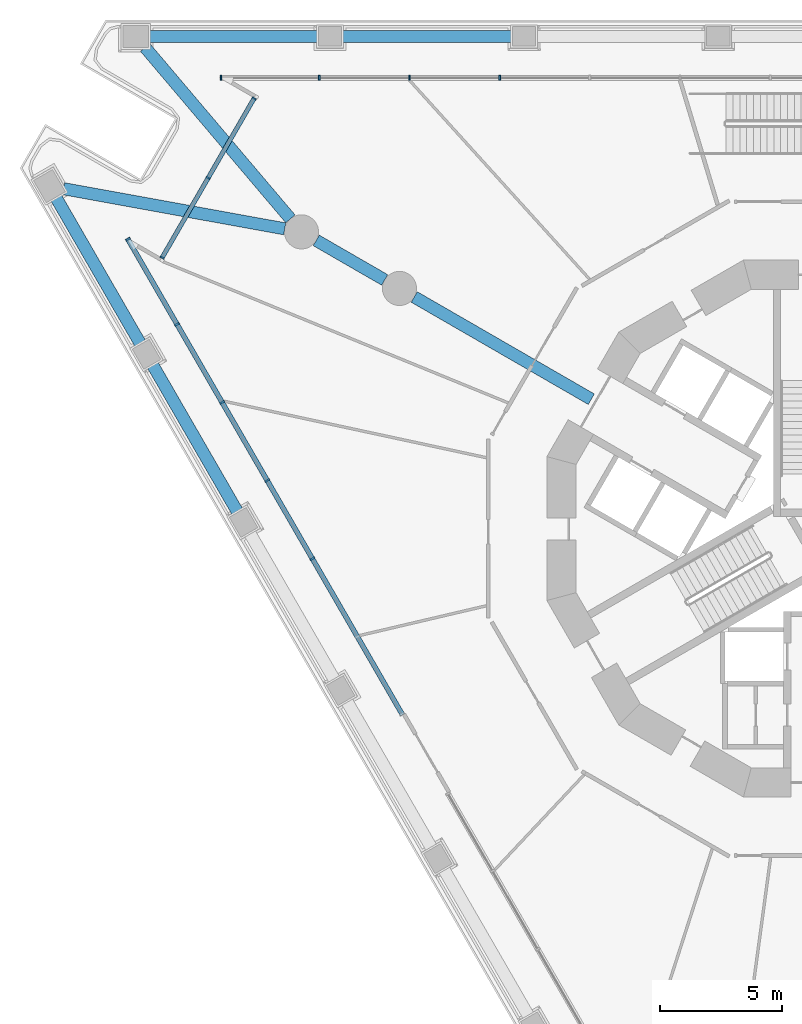
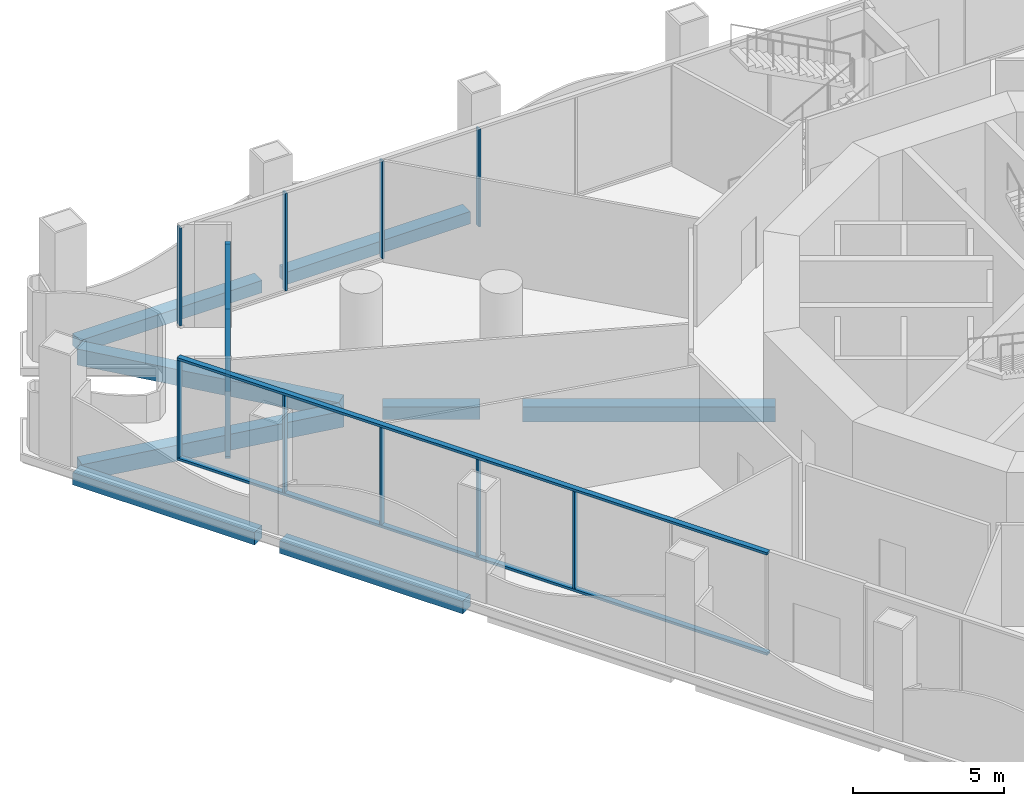
# One storey, part 5 of 21: 16 members, 8 beams, 3 elements without a shape of their own.
"""IFC4 building model written with IfcOpenShell, lengths in metres."""

from ifc_helpers import new_model, si_unit, direction, frame, origin, origin_2d, place, context, subcontext, project, spatial, rectangle, extrude, material, layer, layer_set, material_profile, profile_set, type_object, element, aggregate, save


model = new_model("IFC4")

# Units and contexts
model_context = context("Model", 3, precision=1e-05, world=origin(), true_north=direction((0.0, 1.0)))
body_context = subcontext(model_context, "Body", "Model", "MODEL_VIEW")
ifc_project = project(units=[si_unit("LENGTHUNIT", "METRE"), si_unit("AREAUNIT", "SQUARE_METRE"), si_unit("VOLUMEUNIT", "CUBIC_METRE"), si_unit("PLANEANGLEUNIT", "RADIAN"), si_unit("MASSUNIT", "GRAM", prefix="KILO")], contexts=[model_context])

# Site, building, storey
site_placement = place(None, origin())
site = spatial("IfcSite", under=ifc_project, at=site_placement, CompositionType="ELEMENT")
building_placement = place(site_placement, origin())
building = spatial("IfcBuilding", under=site, at=building_placement, Name="Trine Commons Tower", CompositionType="ELEMENT")
storey_placement = place(building_placement, frame((0.0, 0.0, 9.0)))
storey = spatial("IfcBuildingStorey", under=building, at=storey_placement, Name="L01", CompositionType="ELEMENT", Elevation=9.0)

# Curtain wall, members
ifc_material_1 = material(Name="Corner pocket glazing: anodised aluminium frame with low-emissivity double glazed unit, laminated", Category="aluminium")
ifc_layer_1 = layer(ifc_material_1, 0.179931640625)
ifc_layer_set_1 = layer_set([ifc_layer_1], Name="Corner pocket glazing: anodised aluminium frame with low-emissivity double glazed unit, laminated")
curtain_wall_type_1 = type_object("IfcCurtainWallType", Name="Corner pocket glazing curtain wall CW8", PredefinedType="NOTDEFINED", material=ifc_layer_set_1)
curtain_wall_1_placement = place(storey_placement, origin())
curtain_wall_1 = element("IfcCurtainWall", 1, at=curtain_wall_1_placement, inside=storey, type_object=curtain_wall_type_1, Name="Corner pocket glazing L01 P1.1", PredefinedType="NOTDEFINED")
ifc_material_2 = material(Name="Anodised aluminium, bronze finish", Category="aluminium")
ifc_material_profile_1 = material_profile(ifc_material_2, rectangle(XDim=0.179931640625, YDim=0.06494140625, at=origin_2d()), Name="Mullion 65x180")
ifc_profile_set_1 = profile_set([ifc_material_profile_1], Name="Anodised aluminium, bronze finish")
member_type_1 = type_object("IfcMemberType", Name="Mullion 65x180, Anodised aluminium, bronze finish", PredefinedType="MULLION", material=ifc_profile_set_1)
member_1_placement = place(storey_placement, frame((53.2099609375, 73.616943359375, 0.090087890625), z_axis=(0.0, 0.0, 1.0), x_axis=(-0.866025403784, 0.5, 0.0)))
member_1 = element("IfcMember", 2, at=member_1_placement, type_object=member_type_1, Name="CW8 mullion 1.1", PredefinedType="MULLION", context=body_context, shape_type="SweptSolid", body=[
    extrude(rectangle(XDim=0.179931640625, YDim=0.06494140625, at=origin_2d()), origin(), (0.0, 0.0, 1.0), 3.2998046875),
])
member_2_placement = place(storey_placement, frame((55.09375, 76.879638671875, 0.090087890625), z_axis=(0.0, 0.0, 1.0), x_axis=(-0.866025403784, 0.5, 0.0)))
member_2 = element("IfcMember", 3, at=member_2_placement, type_object=member_type_1, Name="CW8 mullion 2.1", PredefinedType="MULLION", context=body_context, shape_type="SweptSolid", body=[
    extrude(rectangle(XDim=0.179931640625, YDim=0.06494140625, at=origin_2d()), origin(), (0.0, 0.0, 1.0), 3.2998046875),
])
member_3_placement = place(storey_placement, frame((56.9775390625, 80.142333984375, 0.090087890625), z_axis=(0.0, 0.0, 1.0), x_axis=(-0.866025403784, 0.5, 0.0)))
member_3 = element("IfcMember", 4, at=member_3_placement, type_object=member_type_1, Name="CW8 mullion 3.1", PredefinedType="MULLION", context=body_context, shape_type="SweptSolid", body=[
    extrude(rectangle(XDim=0.179931640625, YDim=0.06494140625, at=origin_2d()), origin(), (0.0, 0.0, 1.0), 3.2998046875),
])

ifc_material_3 = material(Name="Podium glazing: anodised aluminium frame with low-emissivity double glazed unit", Category="aluminium")
ifc_layer_2 = layer(ifc_material_3, 0.199951171875)
ifc_layer_set_2 = layer_set([ifc_layer_2], Name="Podium glazing: anodised aluminium frame with low-emissivity double glazed unit")
curtain_wall_type_2 = type_object("IfcCurtainWallType", Name="Podium glazing curtain wall CW3", PredefinedType="NOTDEFINED", material=ifc_layer_set_2)
curtain_wall_2_placement = place(storey_placement, origin())
curtain_wall_2 = element("IfcCurtainWall", 5, at=curtain_wall_2_placement, inside=storey, type_object=curtain_wall_type_2, Name="Podium glazing L01 F1.1", PredefinedType="NOTDEFINED")
ifc_material_profile_2 = material_profile(ifc_material_2, rectangle(XDim=0.199951171875, YDim=0.074951171875, at=origin_2d()), Name="Mullion 75x200")
ifc_profile_set_2 = profile_set([ifc_material_profile_2], Name="Anodised aluminium, bronze finish")
member_type_2 = type_object("IfcMemberType", Name="Mullion 75x200, Anodised aluminium, bronze finish", PredefinedType="MULLION", material=ifc_profile_set_2)
member_4_placement = place(storey_placement, frame((55.62109375, 80.984619140625, 0.10009765625), z_axis=(0.0, 0.0, 1.0), x_axis=(0.0, 1.0, 0.0)))
member_4 = element("IfcMember", 6, at=member_4_placement, type_object=member_type_2, Name="CW3 mullion 1.1", PredefinedType="MULLION", context=body_context, shape_type="SweptSolid", body=[
    extrude(rectangle(XDim=0.199951171875, YDim=0.074951171875, at=origin_2d()), origin(), (0.0, 0.0, 1.0), 3.949951171875),
])
member_5_placement = place(storey_placement, frame((59.65576171875, 80.984619140625, 0.10009765625), z_axis=(0.0, 0.0, 1.0), x_axis=(0.0, 1.0, 0.0)))
member_5 = element("IfcMember", 7, at=member_5_placement, type_object=member_type_2, Name="CW3 mullion 2.1", PredefinedType="MULLION", context=body_context, shape_type="SweptSolid", body=[
    extrude(rectangle(XDim=0.199951171875, YDim=0.074951171875, at=origin_2d()), origin(), (0.0, 0.0, 1.0), 3.949951171875),
])
member_6_placement = place(storey_placement, frame((63.354736328125, 80.984619140625, 0.10009765625), z_axis=(0.0, 0.0, 1.0), x_axis=(0.0, 1.0, 0.0)))
member_6 = element("IfcMember", 8, at=member_6_placement, type_object=member_type_2, Name="CW3 mullion 3.1", PredefinedType="MULLION", context=body_context, shape_type="SweptSolid", body=[
    extrude(rectangle(XDim=0.199951171875, YDim=0.074951171875, at=origin_2d()), origin(), (0.0, 0.0, 1.0), 3.949951171875),
])
member_7_placement = place(storey_placement, frame((67.0537109375, 80.984619140625, 0.10009765625), z_axis=(0.0, 0.0, 1.0), x_axis=(0.0, 1.0, 0.0)))
member_7 = element("IfcMember", 9, at=member_7_placement, type_object=member_type_2, Name="CW3 mullion 4.1", PredefinedType="MULLION", context=body_context, shape_type="SweptSolid", body=[
    extrude(rectangle(XDim=0.199951171875, YDim=0.074951171875, at=origin_2d()), origin(), (0.0, 0.0, 1.0), 3.949951171875),
])
aggregate(curtain_wall_2, [member_4, member_5, member_6, member_7])

curtain_wall_3_placement = place(storey_placement, origin())
curtain_wall_3 = element("IfcCurtainWall", 10, at=curtain_wall_3_placement, inside=storey, type_object=curtain_wall_type_2, Name="Podium glazing L01 F3.2", PredefinedType="NOTDEFINED")
member_8_placement = place(storey_placement, frame((59.368408203125, 61.265869140625, 0.10009765625), z_axis=(0.0, 0.0, 1.0), x_axis=(-0.866025403784, -0.5, 0.0)))
member_8 = element("IfcMember", 11, at=member_8_placement, type_object=member_type_2, Name="CW3 mullion 3.1", PredefinedType="MULLION", context=body_context, shape_type="SweptSolid", body=[
    extrude(rectangle(XDim=0.199951171875, YDim=0.074951171875, at=origin_2d()), origin(), (0.0, 0.0, 1.0), 3.949951171875),
])
member_9_placement = place(storey_placement, frame((57.518798828125, 64.46923828125, 0.10009765625), z_axis=(0.0, 0.0, 1.0), x_axis=(-0.866025403784, -0.5, 0.0)))
member_9 = element("IfcMember", 12, at=member_9_placement, type_object=member_type_2, Name="CW3 mullion 4.1", PredefinedType="MULLION", context=body_context, shape_type="SweptSolid", body=[
    extrude(rectangle(XDim=0.199951171875, YDim=0.074951171875, at=origin_2d()), origin(), (0.0, 0.0, 1.0), 3.949951171875),
])
member_10_placement = place(storey_placement, frame((55.66943359375, 67.672607421875, 0.10009765625), z_axis=(0.0, 0.0, 1.0), x_axis=(-0.866025403784, -0.5, 0.0)))
member_10 = element("IfcMember", 13, at=member_10_placement, type_object=member_type_2, Name="CW3 mullion 5.1", PredefinedType="MULLION", context=body_context, shape_type="SweptSolid", body=[
    extrude(rectangle(XDim=0.199951171875, YDim=0.074951171875, at=origin_2d()), origin(), (0.0, 0.0, 1.0), 3.949951171875),
])
member_11_placement = place(storey_placement, frame((53.820068359375, 70.8759765625, 0.10009765625), z_axis=(0.0, 0.0, 1.0), x_axis=(-0.866025403784, -0.5, 0.0)))
member_11 = element("IfcMember", 14, at=member_11_placement, type_object=member_type_2, Name="CW3 mullion 6.1", PredefinedType="MULLION", context=body_context, shape_type="SweptSolid", body=[
    extrude(rectangle(XDim=0.199951171875, YDim=0.074951171875, at=origin_2d()), origin(), (0.0, 0.0, 1.0), 3.949951171875),
])
member_12_placement = place(storey_placement, frame((51.802490234375, 74.370361328125, 0.10009765625), z_axis=(0.0, 0.0, 1.0), x_axis=(-0.866025403784, -0.5, 0.0)))
member_12 = element("IfcMember", 15, at=member_12_placement, type_object=member_type_2, Name="CW3 mullion 7.1", PredefinedType="MULLION", context=body_context, shape_type="SweptSolid", body=[
    extrude(rectangle(XDim=0.199951171875, YDim=0.074951171875, at=origin_2d()), origin(), (0.0, 0.0, 1.0), 3.949951171875),
])

# Beams
ifc_material_4 = material(Name="Concrete C50/60", Category="concrete")
ifc_material_profile_3 = material_profile(ifc_material_4, rectangle(XDim=0.5, YDim=0.5, at=origin_2d()), Name="RC 500x500")
ifc_profile_set_3 = profile_set([ifc_material_profile_3], Name="Concrete C50/60")
beam_type_1 = type_object("IfcBeamType", Name="RC beam 500x500, C50/60", PredefinedType="BEAM", material=ifc_profile_set_3)
beam_1_placement = place(storey_placement, frame((56.3095703125, 63.163818359375, -0.64990234375), z_axis=(-0.499991645397, 0.866030227263, 0.0), x_axis=(-0.866030227263, -0.499991645397, 0.0)))
element("IfcBeam", 16, at=beam_1_placement, inside=storey, type_object=beam_type_1, Name="Beam EB1-06 L01", PredefinedType="BEAM", context=body_context, shape_type="SweptSolid", body=[
    extrude(rectangle(XDim=0.5, YDim=0.5, at=origin_2d()), origin(), (0.0, 0.0, 1.0), 7.01318359375),
])
for number, where, z_axis, x_axis, name in (
    (17, (52.327880859375, 70.060302734375, -0.64990234375), (-0.49999660792, 0.866027362194, 0.0), (-0.866027362194, -0.49999660792, 0.0), "Beam EB1-07 L01"),
    (18, (52.6533203125, 82.6845703125, -0.64990234375), (1.0, 0.0, 0.0), (0.0, 1.0, 0.0), "Beam EB1-08 L01"),
):
    element("IfcBeam", number, at=place(storey_placement, frame(where, z_axis=z_axis, x_axis=x_axis)), inside=storey, type_object=beam_type_1, Name=name, PredefinedType="BEAM", context=body_context, shape_type="SweptSolid", body=[
        extrude(rectangle(XDim=0.5, YDim=0.5, at=origin_2d()), origin(), (0.0, 0.0, 1.0), 6.96337890625),
    ])
beam_2_placement = place(storey_placement, frame((60.566650390625, 82.6845703125, -0.64990234375), z_axis=(1.0, 0.0, 0.0), x_axis=(0.0, 1.0, 0.0)))
element("IfcBeam", 19, at=beam_2_placement, inside=storey, type_object=beam_type_1, Name="Beam EB1-09 L01", PredefinedType="BEAM", context=body_context, shape_type="SweptSolid", body=[
    extrude(rectangle(XDim=0.5, YDim=0.5, at=origin_2d()), origin(), (0.0, 0.0, 1.0), 7.01318359375),
])
beam_3_placement = place(storey_placement, frame((62.336181640625, 72.697998046875, -0.64990234375), z_axis=(-0.865996235589, 0.500050517394, 0.0), x_axis=(-0.500050517394, -0.865996235589, 0.0)))
element("IfcBeam", 20, at=beam_3_placement, inside=storey, type_object=beam_type_1, Name="Beam RB1-06 L01", PredefinedType="BEAM", context=body_context, shape_type="SweptSolid", body=[
    extrude(rectangle(XDim=0.5, YDim=0.5, at=origin_2d()), origin(), (0.0, 0.0, 1.0), 3.242431640625),
])
ifc_material_profile_4 = material_profile(ifc_material_4, rectangle(XDim=0.5, YDim=0.60009765625, at=origin_2d()), Name="RC 500x600")
ifc_profile_set_4 = profile_set([ifc_material_profile_4], Name="Concrete C50/60")
beam_type_2 = type_object("IfcBeamType", Name="RC beam 500x600, C50/60", PredefinedType="BEAM", material=ifc_profile_set_4)
beam_4_placement = place(storey_placement, frame((70.81005859375, 67.805908203125, -0.699951171875), z_axis=(-0.866038208851, 0.499977820318, 0.0), x_axis=(-0.499977820318, -0.866038208851, 0.0)))
element("IfcBeam", 21, at=beam_4_placement, inside=storey, type_object=beam_type_2, Name="Beam RB1-05 L01", PredefinedType="BEAM", context=body_context, shape_type="SweptSolid", body=[
    extrude(rectangle(XDim=0.5, YDim=0.60009765625, at=origin_2d()), origin(), (0.0, 0.0, 1.0), 8.38623046875),
])
ifc_material_profile_5 = material_profile(ifc_material_4, rectangle(XDim=0.5, YDim=0.64990234375, at=origin_2d()), Name="RC 500x650")
ifc_profile_set_5 = profile_set([ifc_material_profile_5], Name="Concrete C50/60")
beam_type_3 = type_object("IfcBeamType", Name="RC beam 500x650, C50/60", PredefinedType="BEAM", material=ifc_profile_set_5)
for number, where, z_axis, x_axis, name in (
    (22, (49.1640625, 76.440185546875, -0.72509765625), (0.983921563764, -0.178601109628, 0.0), (0.178601109628, 0.983921563764, 0.0), "Beam CB1-01 L01"),
    (23, (52.509521484375, 82.234619140625, -0.72509765625), (0.646611559024, -0.762819435867, 0.0), (0.762819435867, 0.646611559024, 0.0), "Beam CB1-02 L01"),
):
    element("IfcBeam", number, at=place(storey_placement, frame(where, z_axis=z_axis, x_axis=x_axis)), inside=storey, type_object=beam_type_3, Name=name, PredefinedType="BEAM", context=body_context, shape_type="SweptSolid", body=[
        extrude(rectangle(XDim=0.5, YDim=0.64990234375, at=origin_2d()), origin(), (0.0, 0.0, 1.0), 9.21875),
    ])

# Member
ifc_material_profile_6 = material_profile(ifc_material_2, rectangle(XDim=0.199951171875, YDim=0.10009765625, at=origin_2d()), Name="Transom 100x200")
ifc_profile_set_6 = profile_set([ifc_material_profile_6], Name="Anodised aluminium, bronze finish")
member_type_3 = type_object("IfcMemberType", Name="Transom 100x200, Anodised aluminium, bronze finish", PredefinedType="USERDEFINED", material=ifc_profile_set_6)
member_13_placement = place(storey_placement, frame((63.067138671875, 54.859130859375, 0.050048828125), z_axis=(-0.499996215711, 0.866027588634, 0.0), x_axis=(-0.866027588634, -0.499996215711, 0.0)))
member_13 = element("IfcMember", 24, at=member_13_placement, type_object=member_type_3, Name="CW3 transom T00", ObjectType="TRANSOM", PredefinedType="USERDEFINED", context=body_context, shape_type="SweptSolid", body=[
    extrude(rectangle(XDim=0.199951171875, YDim=0.10009765625, at=origin_2d()), origin(), (0.0, 0.0, 1.0), 22.567138671875),
])

member_14_placement = place(storey_placement, frame((63.067138671875, 54.859130859375, 4.10009765625), z_axis=(-0.499996215711, 0.866027588634, 0.0), x_axis=(-0.866027588634, -0.499996215711, 0.0)))
member_14 = element("IfcMember", 25, at=member_14_placement, type_object=member_type_3, Name="CW3 transom TH00", ObjectType="TRANSOM", PredefinedType="USERDEFINED", context=body_context, shape_type="SweptSolid", body=[
    extrude(rectangle(XDim=0.199951171875, YDim=0.10009765625, at=origin_2d()), origin(), (0.0, 0.0, 1.0), 22.567138671875),
])

aggregate(curtain_wall_3, [member_13, member_14, member_8, member_9, member_10, member_11, member_12])

ifc_material_profile_7 = material_profile(ifc_material_2, rectangle(XDim=0.179931640625, YDim=0.090087890625, at=origin_2d()), Name="Transom 90x180")
ifc_profile_set_7 = profile_set([ifc_material_profile_7], Name="Anodised aluminium, bronze finish")
member_type_4 = type_object("IfcMemberType", Name="Transom 90x180, Anodised aluminium, bronze finish", PredefinedType="USERDEFINED", material=ifc_profile_set_7)
member_15_placement = place(storey_placement, frame((53.19384765625, 73.588623046875, 0.044921875), z_axis=(0.500005158081, 0.866022425744, 0.0), x_axis=(-0.866022425744, 0.500005158081, 0.0)))
member_15 = element("IfcMember", 26, at=member_15_placement, type_object=member_type_4, Name="CW8 transom T00", ObjectType="TRANSOM", PredefinedType="USERDEFINED", context=body_context, shape_type="SweptSolid", body=[
    extrude(rectangle(XDim=0.179931640625, YDim=0.090087890625, at=origin_2d()), origin(), (0.0, 0.0, 1.0), 7.60009765625),
])

member_16_placement = place(storey_placement, frame((53.19384765625, 73.588623046875, 3.43505859375), z_axis=(0.500005158081, 0.866022425744, 0.0), x_axis=(-0.866022425744, 0.500005158081, 0.0)))
member_16 = element("IfcMember", 27, at=member_16_placement, type_object=member_type_4, Name="CW8 transom TH00", ObjectType="TRANSOM", PredefinedType="USERDEFINED", context=body_context, shape_type="SweptSolid", body=[
    extrude(rectangle(XDim=0.179931640625, YDim=0.090087890625, at=origin_2d()), origin(), (0.0, 0.0, 1.0), 7.60009765625),
])

aggregate(curtain_wall_1, [member_15, member_16, member_1, member_2, member_3])

save(model, "model.ifc")
